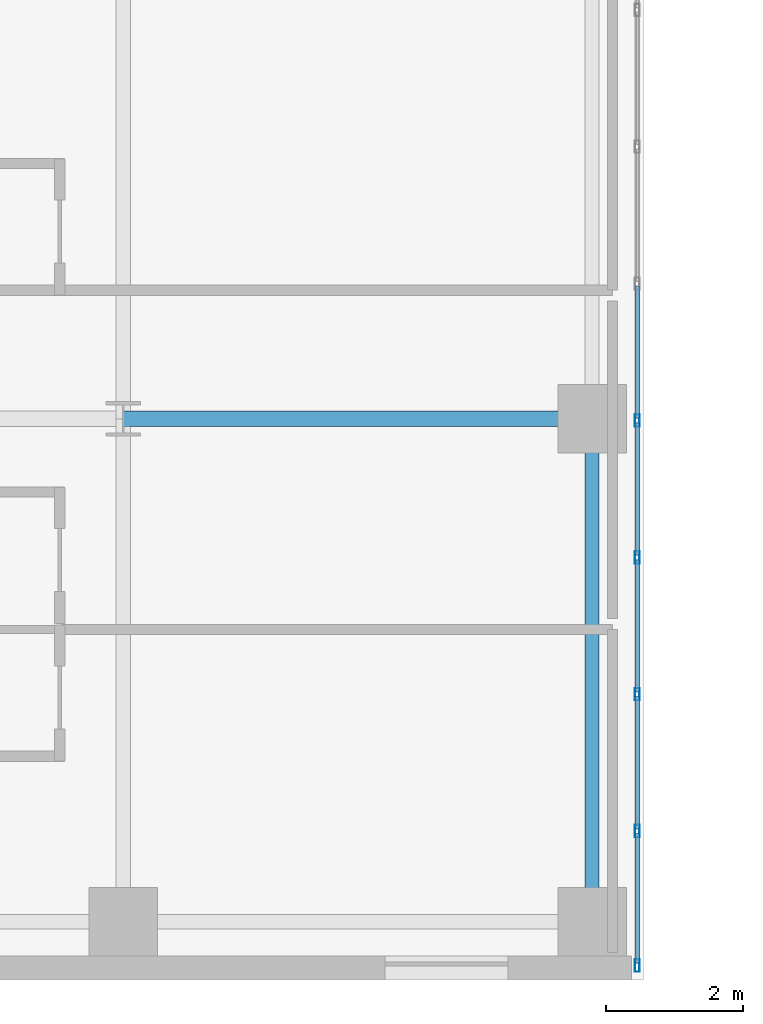
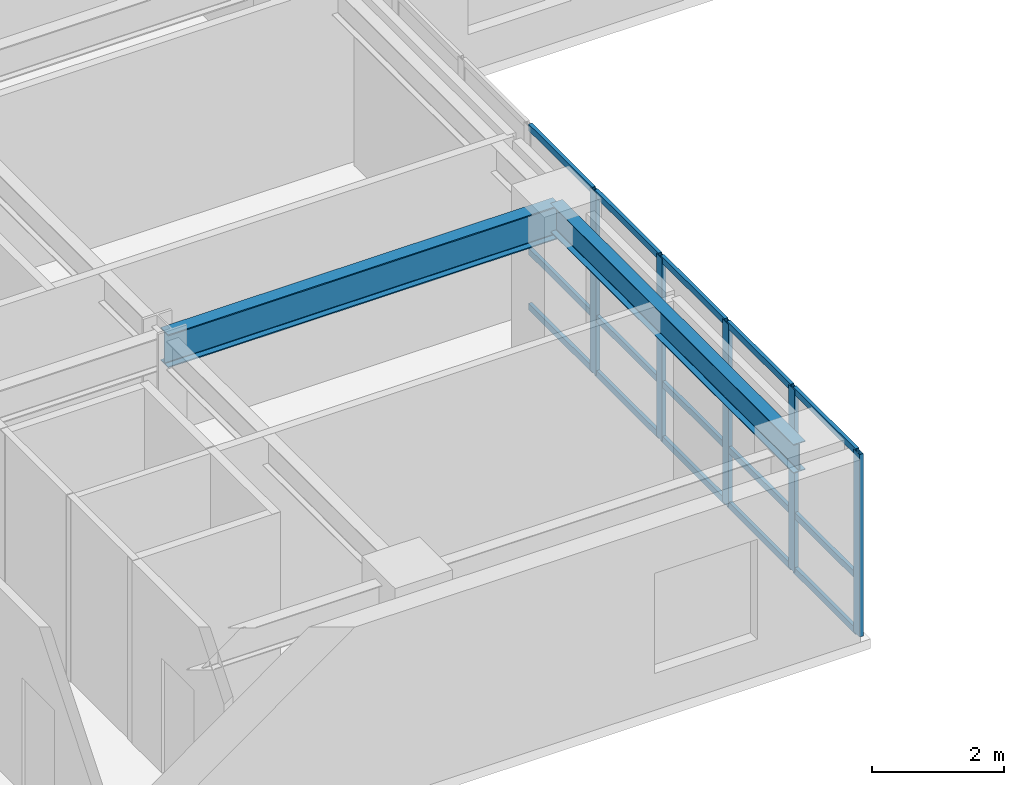
# One storey, part 2 of 17: 20 members, 2 beams, 1 element without a shape of its own.
"""IFC4 building model written with IfcOpenShell, lengths in metres."""

from ifc_helpers import new_model, si_unit, direction, frame, origin, origin_2d, place, context, subcontext, project, spatial, hollow_rectangle, i_section, extrude, source, transform, mapped, material, layer, layer_set, material_profile, profile_set, type_object, type_shapes, element, aggregate, save


model = new_model("IFC4")

# Units and contexts
model_context = context("Model", 3, precision=1e-05, world=origin(), true_north=direction((0.0, 1.0)))
body_context = subcontext(model_context, "Body", "Model", "MODEL_VIEW")
ifc_project = project(units=[si_unit("LENGTHUNIT", "METRE"), si_unit("AREAUNIT", "SQUARE_METRE"), si_unit("VOLUMEUNIT", "CUBIC_METRE"), si_unit("PLANEANGLEUNIT", "RADIAN"), si_unit("MASSUNIT", "GRAM", prefix="KILO")], contexts=[model_context])

# Site, building, storey
site_placement = place(None, origin())
site = spatial("IfcSite", under=ifc_project, at=site_placement, CompositionType="ELEMENT")
building_placement = place(site_placement, origin())
building = spatial("IfcBuilding", under=site, at=building_placement, Name="Tolvann Quenvar Hotel", CompositionType="ELEMENT")
storey_placement = place(building_placement, frame((0.0, 0.0, 49.75)))
storey = spatial("IfcBuildingStorey", under=building, at=storey_placement, Name="L11", CompositionType="ELEMENT", Elevation=49.75)

# Beams
ifc_material_1 = material(Name="Steel Grade 350", Category="steel")
ifc_material_profile_1 = material_profile(ifc_material_1, i_section(OverallWidth=0.22900390625, OverallDepth=0.612060546875, WebThickness=0.011962890625, FlangeThickness=0.01953125, FilletRadius=0.013916015625, at=origin_2d()), Name="610UB125")
ifc_profile_set_1 = profile_set([ifc_material_profile_1], Name="Steel Grade 350")
beam_type_1 = type_object("IfcBeamType", Name="BM_GIRD_610UB125", PredefinedType="BEAM", material=ifc_profile_set_1)
shared_shape_1 = source(origin(), body_context, "Body", "SweptSolid", [
    extrude(i_section(OverallWidth=0.22900390625, OverallDepth=0.612060546875, WebThickness=0.011962890625, FlangeThickness=0.01953125, FilletRadius=0.013916015625, at=origin_2d()), origin(), (0.0, 0.0, 1.0), 6.85009765625),
])
type_shapes(beam_type_1, [shared_shape_1])
beam_1_placement = place(storey_placement, frame((15.199951171875, 8.199951171875, 3.06396484375), z_axis=(1.0, 0.0, 0.0), x_axis=(0.0, 1.0, 0.0)))
element("IfcBeam", 1, at=beam_1_placement, inside=storey, type_object=beam_type_1, Name="BM-L11-EW-3-D3-E3", PredefinedType="BEAM", context=body_context, shape_type="MappedRepresentation", body=[
    mapped(shared_shape_1, transform((0.0, 0.0, 0.0), x_axis=(1.0, 0.0, 0.0), y_axis=(0.0, 1.0, 0.0), z_axis=(0.0, 0.0, 1.0), scale=1.0)),
])
ifc_material_profile_2 = material_profile(ifc_material_1, i_section(OverallWidth=0.208984375, OverallDepth=0.532958984375, WebThickness=0.01025390625, FlangeThickness=0.015625, FilletRadius=0.013916015625, at=origin_2d()), Name="530UB92")
ifc_profile_set_2 = profile_set([ifc_material_profile_2], Name="Steel Grade 350")
beam_type_2 = type_object("IfcBeamType", Name="BM_GIRD_530UB92", PredefinedType="BEAM", material=ifc_profile_set_2)
shared_shape_2 = source(origin(), body_context, "Body", "SweptSolid", [
    extrude(i_section(OverallWidth=0.208984375, OverallDepth=0.532958984375, WebThickness=0.01025390625, FlangeThickness=0.015625, FilletRadius=0.013916015625, at=origin_2d()), origin(), (0.0, 0.0, 1.0), 7.349853515625),
])
type_shapes(beam_type_2, [shared_shape_2])
beam_2_placement = place(storey_placement, frame((22.050048828125, 0.85009765625, 3.103515625), z_axis=(0.0, 1.0, 0.0), x_axis=(-1.0, 0.0, 0.0)))
element("IfcBeam", 2, at=beam_2_placement, inside=storey, type_object=beam_type_2, Name="BM-L11-NS-E2-E3", PredefinedType="BEAM", context=body_context, shape_type="MappedRepresentation", body=[
    mapped(shared_shape_2, transform((0.0, 0.0, 0.0), x_axis=(1.0, 0.0, 0.0), y_axis=(0.0, 1.0, 0.0), z_axis=(0.0, 0.0, 1.0), scale=1.0)),
])

# Curtain wall, members
ifc_material_2 = material(Name="Thermally broken anodised architectural aluminium 6063-T6 and laminated low-E glass", Category="aluminium")
ifc_layer = layer(ifc_material_2, 0.179931640625)
ifc_layer_set = layer_set([ifc_layer], Name="Thermally broken anodised architectural aluminium 6063-T6 and laminated low-E glass")
curtain_wall_type = type_object("IfcCurtainWallType", Name="CW_SYS_SLOT_03", PredefinedType="USERDEFINED", material=ifc_layer_set)
curtain_wall_placement = place(storey_placement, origin())
curtain_wall = element("IfcCurtainWall", 3, at=curtain_wall_placement, inside=storey, type_object=curtain_wall_type, Name="Curtain Wall CW-SLOT-03 (CWR-L11-E05)", ObjectType="UNITISED CURTAIN WALL", PredefinedType="USERDEFINED")
ifc_material_3 = material(Name="Anodised architectural aluminium 6063-T6 framing", Category="aluminium")
ifc_material_profile_3 = material_profile(ifc_material_3, hollow_rectangle(XDim=0.070068359375, YDim=0.179931640625, WallThickness=0.00390625, at=origin_2d()), Name="180x70x4RHS")
ifc_profile_set_3 = profile_set([ifc_material_profile_3], Name="Anodised architectural aluminium 6063-T6 framing")
member_type_1 = type_object("IfcMemberType", Name="CW_MULL_180x70", PredefinedType="MULLION", material=ifc_profile_set_3)
shared_shape_3 = source(origin(), body_context, "Body", "SweptSolid", [
    extrude(hollow_rectangle(XDim=0.070068359375, YDim=0.179931640625, WallThickness=0.00390625, at=origin_2d()), origin(), (0.0, 0.0, 1.0), 3.3701171875),
])
type_shapes(member_type_1, [shared_shape_3])
member_1_placement = place(storey_placement, frame((22.7099609375, 0.2099609375, 0.0), z_axis=(0.0, 0.0, 1.0), x_axis=(-1.0, 0.0, 0.0)))
member_1 = element("IfcMember", 4, at=member_1_placement, type_object=member_type_1, Name="CW-SLOT-03 mullion 1", PredefinedType="MULLION", context=body_context, shape_type="MappedRepresentation", body=[
    mapped(shared_shape_3, transform((0.0, 0.0, 0.0), x_axis=(1.0, 0.0, 0.0), y_axis=(0.0, 1.0, 0.0), z_axis=(0.0, 0.0, 1.0), scale=1.0)),
])
member_2_placement = place(storey_placement, frame((22.7099609375, 2.175048828125, 0.0), z_axis=(0.0, 0.0, 1.0), x_axis=(-1.0, 0.0, 0.0)))
member_2 = element("IfcMember", 5, at=member_2_placement, type_object=member_type_1, Name="CW-SLOT-03 mullion 2", PredefinedType="MULLION", context=body_context, shape_type="MappedRepresentation", body=[
    mapped(shared_shape_3, transform((0.0, 0.0, 0.0), x_axis=(1.0, 0.0, 0.0), y_axis=(0.0, 1.0, 0.0), z_axis=(0.0, 0.0, 1.0), scale=1.0)),
])
member_3_placement = place(storey_placement, frame((22.7099609375, 4.175048828125, 0.0), z_axis=(0.0, 0.0, 1.0), x_axis=(-1.0, 0.0, 0.0)))
member_3 = element("IfcMember", 6, at=member_3_placement, type_object=member_type_1, Name="CW-SLOT-03 mullion 3", PredefinedType="MULLION", context=body_context, shape_type="MappedRepresentation", body=[
    mapped(shared_shape_3, transform((0.0, 0.0, 0.0), x_axis=(1.0, 0.0, 0.0), y_axis=(0.0, 1.0, 0.0), z_axis=(0.0, 0.0, 1.0), scale=1.0)),
])
member_4_placement = place(storey_placement, frame((22.7099609375, 6.175048828125, 0.0), z_axis=(0.0, 0.0, 1.0), x_axis=(-1.0, 0.0, 0.0)))
member_4 = element("IfcMember", 7, at=member_4_placement, type_object=member_type_1, Name="CW-SLOT-03 mullion 4", PredefinedType="MULLION", context=body_context, shape_type="MappedRepresentation", body=[
    mapped(shared_shape_3, transform((0.0, 0.0, 0.0), x_axis=(1.0, 0.0, 0.0), y_axis=(0.0, 1.0, 0.0), z_axis=(0.0, 0.0, 1.0), scale=1.0)),
])
member_5_placement = place(storey_placement, frame((22.7099609375, 8.175048828125, 0.0), z_axis=(0.0, 0.0, 1.0), x_axis=(-1.0, 0.0, 0.0)))
member_5 = element("IfcMember", 8, at=member_5_placement, type_object=member_type_1, Name="CW-SLOT-03 mullion 5", PredefinedType="MULLION", context=body_context, shape_type="MappedRepresentation", body=[
    mapped(shared_shape_3, transform((0.0, 0.0, 0.0), x_axis=(1.0, 0.0, 0.0), y_axis=(0.0, 1.0, 0.0), z_axis=(0.0, 0.0, 1.0), scale=1.0)),
])
ifc_material_profile_4 = material_profile(ifc_material_3, hollow_rectangle(XDim=0.06005859375, YDim=0.1201171875, WallThickness=0.00341796875, at=origin_2d()), Name="120x60x3.5RHS")
ifc_profile_set_4 = profile_set([ifc_material_profile_4], Name="Anodised architectural aluminium 6063-T6 framing")
member_type_2 = type_object("IfcMemberType", Name="CW_TRAN_120x60", PredefinedType="USERDEFINED", material=ifc_profile_set_4)
shared_shape_4 = source(origin(), body_context, "Body", "SweptSolid", [
    extrude(hollow_rectangle(XDim=0.06005859375, YDim=0.1201171875, WallThickness=0.00341796875, at=origin_2d()), origin(), (0.0, 0.0, 1.0), 1.894775390625),
])
member_6_placement = place(storey_placement, frame((22.7099609375, 0.2451171875, 0.030029296875), z_axis=(0.0, 1.0, 0.0), x_axis=(-1.0, 0.0, 0.0)))
member_6 = element("IfcMember", 9, at=member_6_placement, type_object=member_type_2, Name="CW-SLOT-03 transom 1.1", ObjectType="TRANSOM", PredefinedType="USERDEFINED", context=body_context, shape_type="MappedRepresentation", body=[
    mapped(shared_shape_4, transform((0.0, 0.0, 0.0), x_axis=(1.0, 0.0, 0.0), y_axis=(0.0, 1.0, 0.0), z_axis=(0.0, 0.0, 1.0), scale=1.0)),
])
member_7_placement = place(storey_placement, frame((22.7099609375, 0.2451171875, 1.050048828125), z_axis=(0.0, 1.0, 0.0), x_axis=(-1.0, 0.0, 0.0)))
member_7 = element("IfcMember", 10, at=member_7_placement, type_object=member_type_2, Name="CW-SLOT-03 transom 1.2", ObjectType="TRANSOM", PredefinedType="USERDEFINED", context=body_context, shape_type="MappedRepresentation", body=[
    mapped(shared_shape_4, transform((0.0, 0.0, 0.0), x_axis=(1.0, 0.0, 0.0), y_axis=(0.0, 1.0, 0.0), z_axis=(0.0, 0.0, 1.0), scale=1.0)),
])
member_8_placement = place(storey_placement, frame((22.7099609375, 0.2451171875, 3.340087890625), z_axis=(0.0, 1.0, 0.0), x_axis=(-1.0, 0.0, 0.0)))
member_8 = element("IfcMember", 11, at=member_8_placement, type_object=member_type_2, Name="CW-SLOT-03 transom 1.3", ObjectType="TRANSOM", PredefinedType="USERDEFINED", context=body_context, shape_type="MappedRepresentation", body=[
    mapped(shared_shape_4, transform((0.0, 0.0, 0.0), x_axis=(1.0, 0.0, 0.0), y_axis=(0.0, 1.0, 0.0), z_axis=(0.0, 0.0, 1.0), scale=1.0)),
])
shared_shape_5 = source(origin(), body_context, "Body", "SweptSolid", [
    extrude(hollow_rectangle(XDim=0.06005859375, YDim=0.1201171875, WallThickness=0.00341796875, at=origin_2d()), origin(), (0.0, 0.0, 1.0), 1.929931640625),
])
type_shapes(member_type_2, [shared_shape_4, shared_shape_5])
member_9_placement = place(storey_placement, frame((22.7099609375, 2.2099609375, 0.030029296875), z_axis=(0.0, 1.0, 0.0), x_axis=(-1.0, 0.0, 0.0)))
member_9 = element("IfcMember", 12, at=member_9_placement, type_object=member_type_2, Name="CW-SLOT-03 transom 2.1", ObjectType="TRANSOM", PredefinedType="USERDEFINED", context=body_context, shape_type="MappedRepresentation", body=[
    mapped(shared_shape_5, transform((0.0, 0.0, 0.0), x_axis=(1.0, 0.0, 0.0), y_axis=(0.0, 1.0, 0.0), z_axis=(0.0, 0.0, 1.0), scale=1.0)),
])
member_10_placement = place(storey_placement, frame((22.7099609375, 2.2099609375, 1.050048828125), z_axis=(0.0, 1.0, 0.0), x_axis=(-1.0, 0.0, 0.0)))
member_10 = element("IfcMember", 13, at=member_10_placement, type_object=member_type_2, Name="CW-SLOT-03 transom 2.2", ObjectType="TRANSOM", PredefinedType="USERDEFINED", context=body_context, shape_type="MappedRepresentation", body=[
    mapped(shared_shape_5, transform((0.0, 0.0, 0.0), x_axis=(1.0, 0.0, 0.0), y_axis=(0.0, 1.0, 0.0), z_axis=(0.0, 0.0, 1.0), scale=1.0)),
])
member_11_placement = place(storey_placement, frame((22.7099609375, 2.2099609375, 3.340087890625), z_axis=(0.0, 1.0, 0.0), x_axis=(-1.0, 0.0, 0.0)))
member_11 = element("IfcMember", 14, at=member_11_placement, type_object=member_type_2, Name="CW-SLOT-03 transom 2.3", ObjectType="TRANSOM", PredefinedType="USERDEFINED", context=body_context, shape_type="MappedRepresentation", body=[
    mapped(shared_shape_5, transform((0.0, 0.0, 0.0), x_axis=(1.0, 0.0, 0.0), y_axis=(0.0, 1.0, 0.0), z_axis=(0.0, 0.0, 1.0), scale=1.0)),
])
member_12_placement = place(storey_placement, frame((22.7099609375, 4.2099609375, 0.030029296875), z_axis=(0.0, 1.0, 0.0), x_axis=(-1.0, 0.0, 0.0)))
member_12 = element("IfcMember", 15, at=member_12_placement, type_object=member_type_2, Name="CW-SLOT-03 transom 3.1", ObjectType="TRANSOM", PredefinedType="USERDEFINED", context=body_context, shape_type="MappedRepresentation", body=[
    mapped(shared_shape_5, transform((0.0, 0.0, 0.0), x_axis=(1.0, 0.0, 0.0), y_axis=(0.0, 1.0, 0.0), z_axis=(0.0, 0.0, 1.0), scale=1.0)),
])
member_13_placement = place(storey_placement, frame((22.7099609375, 4.2099609375, 1.050048828125), z_axis=(0.0, 1.0, 0.0), x_axis=(-1.0, 0.0, 0.0)))
member_13 = element("IfcMember", 16, at=member_13_placement, type_object=member_type_2, Name="CW-SLOT-03 transom 3.2", ObjectType="TRANSOM", PredefinedType="USERDEFINED", context=body_context, shape_type="MappedRepresentation", body=[
    mapped(shared_shape_5, transform((0.0, 0.0, 0.0), x_axis=(1.0, 0.0, 0.0), y_axis=(0.0, 1.0, 0.0), z_axis=(0.0, 0.0, 1.0), scale=1.0)),
])
member_14_placement = place(storey_placement, frame((22.7099609375, 4.2099609375, 3.340087890625), z_axis=(0.0, 1.0, 0.0), x_axis=(-1.0, 0.0, 0.0)))
member_14 = element("IfcMember", 17, at=member_14_placement, type_object=member_type_2, Name="CW-SLOT-03 transom 3.3", ObjectType="TRANSOM", PredefinedType="USERDEFINED", context=body_context, shape_type="MappedRepresentation", body=[
    mapped(shared_shape_5, transform((0.0, 0.0, 0.0), x_axis=(1.0, 0.0, 0.0), y_axis=(0.0, 1.0, 0.0), z_axis=(0.0, 0.0, 1.0), scale=1.0)),
])
member_15_placement = place(storey_placement, frame((22.7099609375, 6.2099609375, 0.030029296875), z_axis=(0.0, 1.0, 0.0), x_axis=(-1.0, 0.0, 0.0)))
member_15 = element("IfcMember", 18, at=member_15_placement, type_object=member_type_2, Name="CW-SLOT-03 transom 4.1", ObjectType="TRANSOM", PredefinedType="USERDEFINED", context=body_context, shape_type="MappedRepresentation", body=[
    mapped(shared_shape_5, transform((0.0, 0.0, 0.0), x_axis=(1.0, 0.0, 0.0), y_axis=(0.0, 1.0, 0.0), z_axis=(0.0, 0.0, 1.0), scale=1.0)),
])
member_16_placement = place(storey_placement, frame((22.7099609375, 6.2099609375, 1.050048828125), z_axis=(0.0, 1.0, 0.0), x_axis=(-1.0, 0.0, 0.0)))
member_16 = element("IfcMember", 19, at=member_16_placement, type_object=member_type_2, Name="CW-SLOT-03 transom 4.2", ObjectType="TRANSOM", PredefinedType="USERDEFINED", context=body_context, shape_type="MappedRepresentation", body=[
    mapped(shared_shape_5, transform((0.0, 0.0, 0.0), x_axis=(1.0, 0.0, 0.0), y_axis=(0.0, 1.0, 0.0), z_axis=(0.0, 0.0, 1.0), scale=1.0)),
])
member_17_placement = place(storey_placement, frame((22.7099609375, 6.2099609375, 3.340087890625), z_axis=(0.0, 1.0, 0.0), x_axis=(-1.0, 0.0, 0.0)))
member_17 = element("IfcMember", 20, at=member_17_placement, type_object=member_type_2, Name="CW-SLOT-03 transom 4.3", ObjectType="TRANSOM", PredefinedType="USERDEFINED", context=body_context, shape_type="MappedRepresentation", body=[
    mapped(shared_shape_5, transform((0.0, 0.0, 0.0), x_axis=(1.0, 0.0, 0.0), y_axis=(0.0, 1.0, 0.0), z_axis=(0.0, 0.0, 1.0), scale=1.0)),
])
member_18_placement = place(storey_placement, frame((22.7099609375, 8.2099609375, 0.030029296875), z_axis=(0.0, 1.0, 0.0), x_axis=(-1.0, 0.0, 0.0)))
member_18 = element("IfcMember", 21, at=member_18_placement, type_object=member_type_2, Name="CW-SLOT-03 transom 5.1", ObjectType="TRANSOM", PredefinedType="USERDEFINED", context=body_context, shape_type="MappedRepresentation", body=[
    mapped(shared_shape_5, transform((0.0, 0.0, 0.0), x_axis=(1.0, 0.0, 0.0), y_axis=(0.0, 1.0, 0.0), z_axis=(0.0, 0.0, 1.0), scale=1.0)),
])
member_19_placement = place(storey_placement, frame((22.7099609375, 8.2099609375, 1.050048828125), z_axis=(0.0, 1.0, 0.0), x_axis=(-1.0, 0.0, 0.0)))
member_19 = element("IfcMember", 22, at=member_19_placement, type_object=member_type_2, Name="CW-SLOT-03 transom 5.2", ObjectType="TRANSOM", PredefinedType="USERDEFINED", context=body_context, shape_type="MappedRepresentation", body=[
    mapped(shared_shape_5, transform((0.0, 0.0, 0.0), x_axis=(1.0, 0.0, 0.0), y_axis=(0.0, 1.0, 0.0), z_axis=(0.0, 0.0, 1.0), scale=1.0)),
])
member_20_placement = place(storey_placement, frame((22.7099609375, 8.2099609375, 3.340087890625), z_axis=(0.0, 1.0, 0.0), x_axis=(-1.0, 0.0, 0.0)))
member_20 = element("IfcMember", 23, at=member_20_placement, type_object=member_type_2, Name="CW-SLOT-03 transom 5.3", ObjectType="TRANSOM", PredefinedType="USERDEFINED", context=body_context, shape_type="MappedRepresentation", body=[
    mapped(shared_shape_5, transform((0.0, 0.0, 0.0), x_axis=(1.0, 0.0, 0.0), y_axis=(0.0, 1.0, 0.0), z_axis=(0.0, 0.0, 1.0), scale=1.0)),
])
aggregate(curtain_wall, [member_1, member_2, member_3, member_4, member_5, member_6, member_7, member_8, member_9, member_10, member_11, member_12, member_13, member_14, member_15, member_16, member_17, member_18, member_19, member_20])

save(model, "model.ifc")
